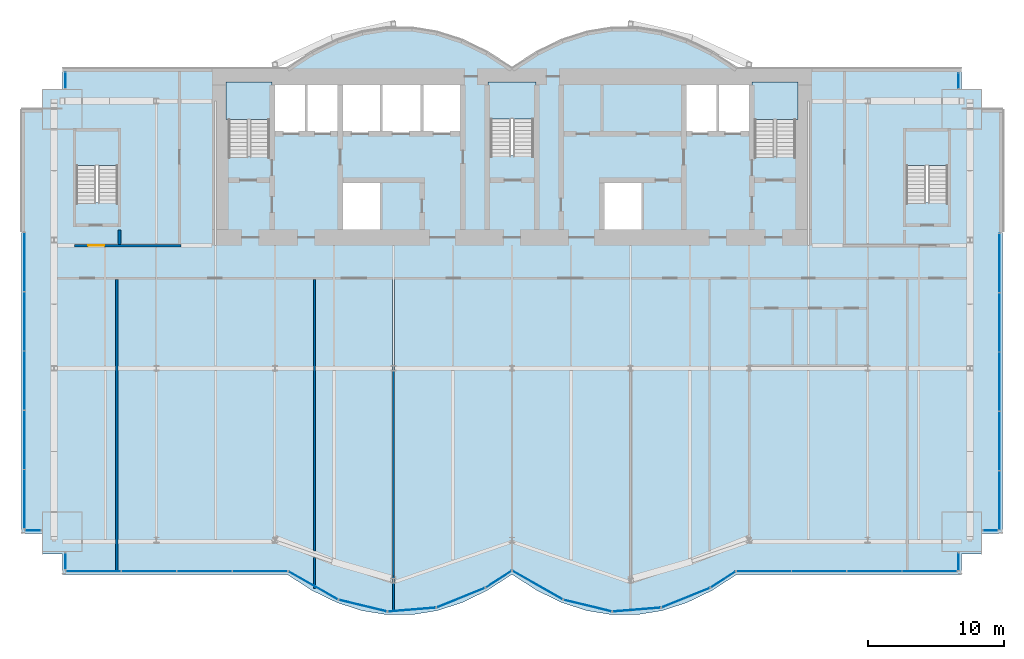
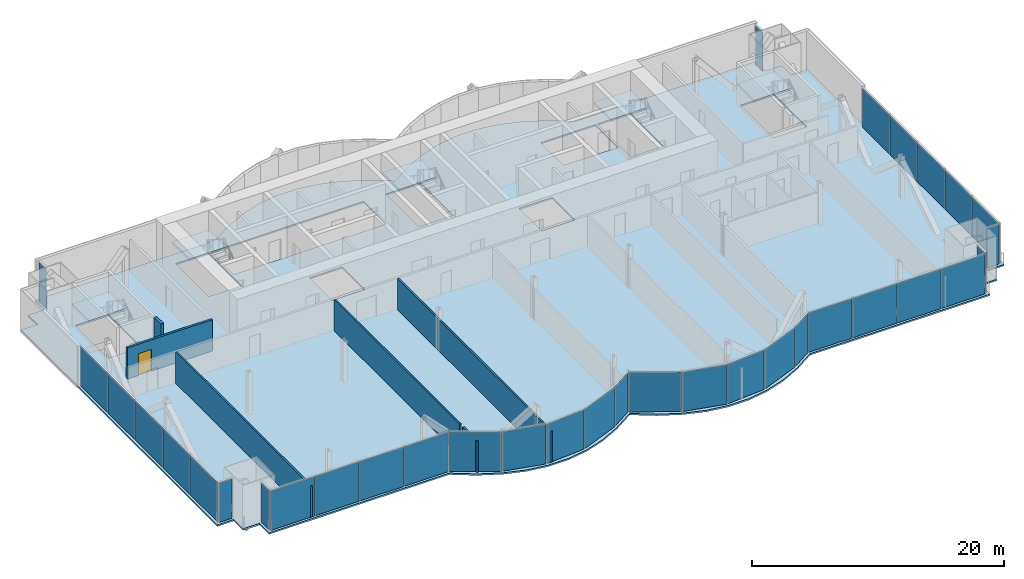
# One storey, part 14 of 21: 34 plates, 7 walls, 6 slabs, 1 door, 1 opening, 17 elements without a shape of their own.
"""IFC4 building model written with IfcOpenShell, lengths in metres."""

from ifc_helpers import new_model, si_unit, direction, frame, frame_2d, origin, origin_2d, place, context, subcontext, project, spatial, polyline, rectangle, outline, extrude, material, layer, layer_set, type_object, element, fill, aggregate, save


model = new_model("IFC4")

# Units and contexts
model_context = context("Model", 3, precision=1e-05, world=origin(), true_north=direction((0.0, 1.0)))
body_context = subcontext(model_context, "Body", "Model", "MODEL_VIEW")
ifc_project = project(units=[si_unit("LENGTHUNIT", "METRE"), si_unit("AREAUNIT", "SQUARE_METRE"), si_unit("VOLUMEUNIT", "CUBIC_METRE"), si_unit("PLANEANGLEUNIT", "RADIAN"), si_unit("MASSUNIT", "GRAM", prefix="KILO")], contexts=[model_context])

# Site, building, storey
site_placement = place(None, origin())
site = spatial("IfcSite", under=ifc_project, at=site_placement, CompositionType="ELEMENT")
building_placement = place(site_placement, origin())
building = spatial("IfcBuilding", under=site, at=building_placement, Name="Bicima Exchange Tower", CompositionType="ELEMENT")
storey_placement = place(building_placement, frame((0.0, 0.0, 122.699951171875)))
storey = spatial("IfcBuildingStorey", under=building, at=storey_placement, Name="L26", CompositionType="ELEMENT", Elevation=122.699951171875)

# Slab
ifc_material_1 = material(Name="Concrete C40/50", Category="concrete")
ifc_layer_1 = layer(ifc_material_1, 0.14990234375)
ifc_layer_set_1 = layer_set([ifc_layer_1], Name="Concrete C40/50")
slab_type_1 = type_object("IfcSlabType", Name="Composite floor slab 150", PredefinedType="FLOOR", material=ifc_layer_set_1)
slab_1_placement = place(storey_placement, frame((0.0, 0.0, -0.14990234375)))
element("IfcSlab", 1, at=slab_1_placement, inside=storey, type_object=slab_type_1, Name="Floor slab", PredefinedType="FLOOR", context=body_context, shape_type="SweptSolid", body=[
    extrude(outline(polyline([(-36.0, -34.1201171875), (-36.0, -3.0), (-34.5, -3.0), (-34.5, -1.5), (-33.0, -1.5), (-33.0, 0.0), (-16.5, 0.0), (-14.666748046875, 1.185302734375), (-12.833251953125, 2.07421875), (-11.0, 2.666748046875), (-9.166748046875, 2.962890625), (-7.333251953125, 2.962890625), (-5.5, 2.666748046875), (-3.666748046875, 2.07421875), (-1.833251953125, 1.185302734375), (0.0, 0.0), (1.833251953125, 1.185302734375), (3.666748046875, 2.07421875), (5.5, 2.666748046875), (7.333251953125, 2.962890625), (9.166748046875, 2.962890625), (11.0, 2.666748046875), (12.833251953125, 2.07421875), (14.666748046875, 1.185302734375), (16.5, 0.0), (33.0, 0.0), (33.0, -1.5), (34.5, -1.5), (34.5, -3.0), (36.0, -3.0), (36.0, -34.1201171875), (34.5, -34.1201171875), (34.5, -35.6201171875), (33.0, -35.6201171875), (33.0, -37.1201171875), (16.5, -37.1201171875), (14.666748046875, -38.30517578125), (12.833251953125, -39.194091796875), (11.0, -39.78662109375), (9.166748046875, -40.0830078125), (7.333251953125, -40.0830078125), (5.5, -39.78662109375), (3.666748046875, -39.194091796875), (1.833251953125, -38.30517578125), (0.0, -37.1201171875), (-1.833251953125, -38.30517578125), (-3.666748046875, -39.194091796875), (-5.5, -39.78662109375), (-7.333251953125, -40.0830078125), (-9.166748046875, -40.0830078125), (-11.0, -39.78662109375), (-12.833251953125, -39.194091796875), (-14.666748046875, -38.30517578125), (-16.5, -37.1201171875), (-33.0, -37.1201171875), (-33.0, -35.6201171875), (-34.5, -35.6201171875), (-34.5, -34.1201171875), (-36.0, -34.1201171875)]), holes=[polyline([(-9.60009765625, -11.800048828125), (-9.60009765625, -8.199951171875), (-12.60009765625, -8.199951171875), (-12.60009765625, -11.800048828125), (-9.60009765625, -11.800048828125)]), polyline([(-31.97509765625, -9.824951171875), (-28.925048828125, -9.824951171875), (-28.925048828125, -4.625), (-31.97509765625, -4.625), (-31.97509765625, -9.824951171875)]), polyline([(-20.800048828125, -6.449951171875), (-17.800048828125, -6.449951171875), (-17.800048828125, -1.199951171875), (-20.800048828125, -1.199951171875), (-20.800048828125, -6.449951171875)]), polyline([(-9.60009765625, -1.199951171875), (-12.60009765625, -1.199951171875), (-15.10009765625, -1.199951171875), (-17.60009765625, -1.199951171875), (-17.60009765625, -4.800048828125), (-15.10009765625, -4.800048828125), (-12.60009765625, -4.800048828125), (-9.60009765625, -4.800048828125), (-6.60009765625, -4.800048828125), (-3.60009765625, -4.800048828125), (-3.60009765625, -1.199951171875), (-6.60009765625, -1.199951171875), (-9.60009765625, -1.199951171875)]), polyline([(9.60009765625, -11.800048828125), (9.60009765625, -8.199951171875), (6.60009765625, -8.199951171875), (6.60009765625, -11.800048828125), (9.60009765625, -11.800048828125)]), polyline([(28.925048828125, -9.824951171875), (31.97509765625, -9.824951171875), (31.97509765625, -4.625), (28.925048828125, -4.625), (28.925048828125, -9.824951171875)]), polyline([(17.800048828125, -6.449951171875), (20.800048828125, -6.449951171875), (20.800048828125, -1.199951171875), (17.800048828125, -1.199951171875), (17.800048828125, -6.449951171875)]), polyline([(-1.574951171875, -6.39990234375), (1.574951171875, -6.39990234375), (1.574951171875, -1.199951171875), (-1.574951171875, -1.199951171875), (-1.574951171875, -6.39990234375)]), polyline([(17.60009765625, -4.800048828125), (17.60009765625, -1.199951171875), (15.10009765625, -1.199951171875), (12.60009765625, -1.199951171875), (12.60009765625, -4.800048828125), (15.10009765625, -4.800048828125), (17.60009765625, -4.800048828125)])]), origin(), (0.0, 0.0, 1.0), 0.14990234375),
])

# Curtain wall, plates
ifc_material_2 = material(Name="Anodised bronze aluminium", Category="aluminium")
curtain_wall_type_1 = type_object("IfcCurtainWallType", Name="End face glass wall", PredefinedType="NOTDEFINED", material=ifc_material_2)
curtain_wall_1_placement = place(storey_placement, origin())
curtain_wall_1 = element("IfcCurtainWall", 2, at=curtain_wall_1_placement, inside=storey, type_object=curtain_wall_type_1, Name="End face glass wall L26 run 2", PredefinedType="NOTDEFINED")
ifc_material_3 = material(Name="Bronze tinted glass", Category="glass")
ifc_layer_2 = layer(ifc_material_3, 0.031982421875)
ifc_layer_set_2 = layer_set([ifc_layer_2], Name="Bronze tinted glass")
plate_type_1 = type_object("IfcPlateType", Name="End face glass wall glass panel 32", PredefinedType="CURTAIN_PANEL", material=ifc_layer_set_2)
plate_1_placement = place(storey_placement, frame((-35.77001953125, -18.554931640625, 0.0), z_axis=(0.0, 0.0, 1.0), x_axis=(0.0, -1.0, 0.0)))
plate_1 = element("IfcPlate", 3, at=plate_1_placement, type_object=plate_type_1, Name="End face glass wall panel 2.1", PredefinedType="CURTAIN_PANEL", context=body_context, shape_type="SweptSolid", body=[
    extrude(rectangle(XDim=4.2900390625, YDim=0.031982421875, at=origin_2d()), origin(), (0.0, 0.0, 1.0), 3.81005859375),
])
plate_2_placement = place(storey_placement, frame((-35.77001953125, -31.60498046875, 0.0), z_axis=(0.0, 0.0, 1.0), x_axis=(0.0, -1.0, 0.0)))
plate_2 = element("IfcPlate", 4, at=plate_2_placement, type_object=plate_type_1, Name="End face glass wall panel 5.1", PredefinedType="CURTAIN_PANEL", context=body_context, shape_type="SweptSolid", body=[
    extrude(rectangle(XDim=4.2900390625, YDim=0.031982421875, at=origin_2d()), origin(), (0.0, 0.0, 1.0), 3.81005859375),
])

curtain_wall_2_placement = place(storey_placement, origin())
curtain_wall_2 = element("IfcCurtainWall", 5, at=curtain_wall_2_placement, inside=storey, type_object=curtain_wall_type_1, Name="End face glass wall L26 run 19", PredefinedType="NOTDEFINED")
plate_3_placement = place(storey_placement, frame((35.77001953125, -31.68505859375, 0.0), z_axis=(0.0, 0.0, 1.0), x_axis=(0.0, 1.0, 0.0)))
plate_3 = element("IfcPlate", 6, at=plate_3_placement, type_object=plate_type_1, Name="End face glass wall panel 1.1", PredefinedType="CURTAIN_PANEL", context=body_context, shape_type="SweptSolid", body=[
    extrude(rectangle(XDim=4.2900390625, YDim=0.031982421875, at=origin_2d()), origin(), (0.0, 0.0, 1.0), 3.81005859375),
])
plate_4_placement = place(storey_placement, frame((35.77001953125, -18.635009765625, 0.0), z_axis=(0.0, 0.0, 1.0), x_axis=(0.0, 1.0, 0.0)))
plate_4 = element("IfcPlate", 7, at=plate_4_placement, type_object=plate_type_1, Name="End face glass wall panel 4.1", PredefinedType="CURTAIN_PANEL", context=body_context, shape_type="SweptSolid", body=[
    extrude(rectangle(XDim=4.2900390625, YDim=0.031982421875, at=origin_2d()), origin(), (0.0, 0.0, 1.0), 3.81005859375),
])

# Plate
ifc_material_4 = material(Name="Bronze anodised aluminium", Category="aluminium")
ifc_layer_3 = layer(ifc_material_4, 0.031982421875)
ifc_layer_set_3 = layer_set([ifc_layer_3], Name="Bronze anodised aluminium")
plate_type_2 = type_object("IfcPlateType", Name="End face glass wall spandrel panel 32", PredefinedType="CURTAIN_PANEL", material=ifc_layer_set_3)
plate_5_placement = place(storey_placement, frame((-35.77001953125, -14.205078125, 0.0), z_axis=(0.0, 0.0, 1.0), x_axis=(0.0, -1.0, 0.0)))
plate_5 = element("IfcPlate", 8, at=plate_5_placement, type_object=plate_type_2, Name="End face spandrel wall panel 1.1", PredefinedType="CURTAIN_PANEL", context=body_context, shape_type="SweptSolid", body=[
    extrude(rectangle(XDim=4.2900390625, YDim=0.031982421875, at=origin_2d()), origin(), (0.0, 0.0, 1.0), 3.81005859375),
])

plate_6_placement = place(storey_placement, frame((-35.77001953125, -22.905029296875, 0.0), z_axis=(0.0, 0.0, 1.0), x_axis=(0.0, -1.0, 0.0)))
plate_6 = element("IfcPlate", 9, at=plate_6_placement, type_object=plate_type_2, Name="End face spandrel wall panel 3.1", PredefinedType="CURTAIN_PANEL", context=body_context, shape_type="SweptSolid", body=[
    extrude(rectangle(XDim=4.2900390625, YDim=0.031982421875, at=origin_2d()), origin(), (0.0, 0.0, 1.0), 3.81005859375),
])

plate_7_placement = place(storey_placement, frame((-35.77001953125, -27.2548828125, 0.0), z_axis=(0.0, 0.0, 1.0), x_axis=(0.0, -1.0, 0.0)))
plate_7 = element("IfcPlate", 10, at=plate_7_placement, type_object=plate_type_2, Name="End face spandrel wall panel 4.1", PredefinedType="CURTAIN_PANEL", context=body_context, shape_type="SweptSolid", body=[
    extrude(rectangle(XDim=4.2900390625, YDim=0.031982421875, at=origin_2d()), origin(), (0.0, 0.0, 1.0), 3.81005859375),
])

aggregate(curtain_wall_1, [plate_5, plate_1, plate_6, plate_7, plate_2])

plate_8_placement = place(storey_placement, frame((35.77001953125, -27.3349609375, 0.0), z_axis=(0.0, 0.0, 1.0), x_axis=(0.0, 1.0, 0.0)))
plate_8 = element("IfcPlate", 11, at=plate_8_placement, type_object=plate_type_2, Name="End face spandrel wall panel 2.1", PredefinedType="CURTAIN_PANEL", context=body_context, shape_type="SweptSolid", body=[
    extrude(rectangle(XDim=4.2900390625, YDim=0.031982421875, at=origin_2d()), origin(), (0.0, 0.0, 1.0), 3.81005859375),
])

plate_9_placement = place(storey_placement, frame((35.77001953125, -22.985107421875, 0.0), z_axis=(0.0, 0.0, 1.0), x_axis=(0.0, 1.0, 0.0)))
plate_9 = element("IfcPlate", 12, at=plate_9_placement, type_object=plate_type_2, Name="End face spandrel wall panel 3.1", PredefinedType="CURTAIN_PANEL", context=body_context, shape_type="SweptSolid", body=[
    extrude(rectangle(XDim=4.2900390625, YDim=0.031982421875, at=origin_2d()), origin(), (0.0, 0.0, 1.0), 3.81005859375),
])

plate_10_placement = place(storey_placement, frame((35.77001953125, -14.284912109375, 0.0), z_axis=(0.0, 0.0, 1.0), x_axis=(0.0, 1.0, 0.0)))
plate_10 = element("IfcPlate", 13, at=plate_10_placement, type_object=plate_type_2, Name="End face spandrel wall panel 5.1", PredefinedType="CURTAIN_PANEL", context=body_context, shape_type="SweptSolid", body=[
    extrude(rectangle(XDim=4.2900390625, YDim=0.031982421875, at=origin_2d()), origin(), (0.0, 0.0, 1.0), 3.81005859375),
])

aggregate(curtain_wall_2, [plate_3, plate_8, plate_9, plate_4, plate_10])

# Curtain wall, plate
curtain_wall_type_2 = type_object("IfcCurtainWallType", Name="Front glass wall", PredefinedType="NOTDEFINED", material=ifc_material_2)
curtain_wall_3_placement = place(storey_placement, origin())
curtain_wall_3 = element("IfcCurtainWall", 14, at=curtain_wall_3_placement, inside=storey, type_object=curtain_wall_type_2, Name="Front glass wall L26 run 1", PredefinedType="NOTDEFINED")
ifc_layer_4 = layer(ifc_material_3, 0.031982421875)
ifc_layer_set_4 = layer_set([ifc_layer_4], Name="Bronze tinted glass")
plate_type_3 = type_object("IfcPlateType", Name="Front glass wall glass panel 32", PredefinedType="CURTAIN_PANEL", material=ifc_layer_set_4)
plate_11_placement = place(storey_placement, frame((-32.77001953125, -0.864990234375, 0.0), z_axis=(0.0, 0.0, 1.0), x_axis=(0.0, -1.0, 0.0)))
plate_11 = element("IfcPlate", 15, at=plate_11_placement, type_object=plate_type_3, Name="Front glass wall panel 1.1", PredefinedType="CURTAIN_PANEL", context=body_context, shape_type="SweptSolid", body=[
    extrude(rectangle(XDim=1.14990234375, YDim=0.031982421875, at=origin_2d()), origin(), (0.0, 0.0, 1.0), 3.81005859375),
])
aggregate(curtain_wall_3, [plate_11])

curtain_wall_4_placement = place(storey_placement, origin())
curtain_wall_4 = element("IfcCurtainWall", 16, at=curtain_wall_4_placement, inside=storey, type_object=curtain_wall_type_2, Name="Front glass wall L26 run 3", PredefinedType="NOTDEFINED")
plate_12_placement = place(storey_placement, frame((-35.135009765625, -33.889892578125, 0.0), z_axis=(0.0, 0.0, 1.0), x_axis=(1.0, 0.0, 0.0)))
plate_12 = element("IfcPlate", 17, at=plate_12_placement, type_object=plate_type_3, Name="Front glass wall panel 1.1", PredefinedType="CURTAIN_PANEL", context=body_context, shape_type="SweptSolid", body=[
    extrude(rectangle(XDim=1.14990234375, YDim=0.031982421875, at=origin_2d()), origin(), (0.0, 0.0, 1.0), 3.81005859375),
])
aggregate(curtain_wall_4, [plate_12])

curtain_wall_5_placement = place(storey_placement, origin())
curtain_wall_5 = element("IfcCurtainWall", 18, at=curtain_wall_5_placement, inside=storey, type_object=curtain_wall_type_2, Name="Front glass wall L26 run 4", PredefinedType="NOTDEFINED")
plate_13_placement = place(storey_placement, frame((-32.77001953125, -36.154052734375, 0.0), z_axis=(0.0, 0.0, 1.0), x_axis=(0.0, -1.0, 0.0)))
plate_13 = element("IfcPlate", 19, at=plate_13_placement, type_object=plate_type_3, Name="Front glass wall panel 1.1", PredefinedType="CURTAIN_PANEL", context=body_context, shape_type="SweptSolid", body=[
    extrude(rectangle(XDim=1.19189453125, YDim=0.031982421875, at=origin_2d()), origin(), (0.0, 0.0, 1.0), 3.81005859375),
])
aggregate(curtain_wall_5, [plate_13])

# Curtain wall, plates
curtain_wall_6_placement = place(storey_placement, origin())
curtain_wall_6 = element("IfcCurtainWall", 20, at=curtain_wall_6_placement, inside=storey, type_object=curtain_wall_type_2, Name="Front glass wall L26 run 5", PredefinedType="NOTDEFINED")
plate_14_placement = place(storey_placement, frame((-30.705322265625, -36.889892578125, 0.0), z_axis=(0.0, 0.0, 1.0), x_axis=(1.0, 0.0, 0.0)))
plate_14 = element("IfcPlate", 21, at=plate_14_placement, type_object=plate_type_3, Name="Front glass wall panel 1.1", PredefinedType="CURTAIN_PANEL", context=body_context, shape_type="SweptSolid", body=[
    extrude(rectangle(XDim=4.009521484375, YDim=0.031982421875, at=origin_2d()), origin(), (0.0, 0.0, 1.0), 3.81005859375),
])
plate_15_placement = place(storey_placement, frame((-18.496826171875, -36.889892578125, 0.0), z_axis=(0.0, 0.0, 1.0), x_axis=(1.0, 0.0, 0.0)))
plate_15 = element("IfcPlate", 22, at=plate_15_placement, type_object=plate_type_3, Name="Front glass wall panel 4.1", PredefinedType="CURTAIN_PANEL", context=body_context, shape_type="SweptSolid", body=[
    extrude(rectangle(XDim=4.009521484375, YDim=0.031982421875, at=origin_2d()), origin(), (0.0, 0.0, 1.0), 3.81005859375),
])

curtain_wall_7_placement = place(storey_placement, origin())
curtain_wall_7 = element("IfcCurtainWall", 23, at=curtain_wall_7_placement, inside=storey, type_object=curtain_wall_type_2, Name="Front glass wall L26 run 6", PredefinedType="NOTDEFINED")
plate_16_placement = place(storey_placement, frame((-14.589599609375, -37.93505859375, 0.0), z_axis=(0.0, 0.0, 1.0), x_axis=(0.869805110681, -0.493395449343, 0.0)))
plate_16 = element("IfcPlate", 24, at=plate_16_placement, type_object=plate_type_3, Name="Front glass wall panel 1.1", PredefinedType="CURTAIN_PANEL", context=body_context, shape_type="SweptSolid", body=[
    extrude(rectangle(XDim=4.1162109375, YDim=0.031982421875, at=origin_2d()), origin(), (0.0, 0.0, 1.0), 3.81005859375),
])
plate_17_placement = place(storey_placement, frame((-3.750244140625, -38.83349609375, 0.0), z_axis=(0.0, 0.0, 1.0), x_axis=(0.92714396679, 0.374705304, 0.0)))
plate_17 = element("IfcPlate", 25, at=plate_17_placement, type_object=plate_type_3, Name="Front glass wall panel 1.1", PredefinedType="CURTAIN_PANEL", context=body_context, shape_type="SweptSolid", body=[
    extrude(rectangle(XDim=3.771240234375, YDim=0.031982421875, at=origin_2d()), origin(), (0.0, 0.0, 1.0), 3.81005859375),
])
plate_18_placement = place(storey_placement, frame((-0.97314453125, -37.47509765625, 0.0), z_axis=(0.0, 0.0, 1.0), x_axis=(0.839798994301, 0.542897457326, 0.0)))
plate_18 = element("IfcPlate", 26, at=plate_18_placement, type_object=plate_type_3, Name="Front glass wall panel 1.1", PredefinedType="CURTAIN_PANEL", context=body_context, shape_type="SweptSolid", body=[
    extrude(rectangle(XDim=2.197509765625, YDim=0.031982421875, at=origin_2d()), origin(), (0.0, 0.0, 1.0), 3.81005859375),
])

curtain_wall_8_placement = place(storey_placement, origin())
curtain_wall_8 = element("IfcCurtainWall", 27, at=curtain_wall_8_placement, inside=storey, type_object=curtain_wall_type_2, Name="Front glass wall L26 run 11", PredefinedType="NOTDEFINED")
plate_19_placement = place(storey_placement, frame((1.876220703125, -37.9130859375, 0.0), z_axis=(0.0, 0.0, 1.0), x_axis=(0.869274147378, -0.494330311331, 0.0)))
plate_19 = element("IfcPlate", 28, at=plate_19_placement, type_object=plate_type_3, Name="Front glass wall panel 1.1", PredefinedType="CURTAIN_PANEL", context=body_context, shape_type="SweptSolid", body=[
    extrude(rectangle(XDim=4.197021484375, YDim=0.031982421875, at=origin_2d()), origin(), (0.0, 0.0, 1.0), 3.81005859375),
])
plate_20_placement = place(storey_placement, frame((5.55224609375, -39.41650390625, 0.0), z_axis=(0.0, 0.0, 1.0), x_axis=(0.971830343553, -0.235681529503, 0.0)))
plate_20 = element("IfcPlate", 29, at=plate_20_placement, type_object=plate_type_3, Name="Front glass wall panel 1.1", PredefinedType="CURTAIN_PANEL", context=body_context, shape_type="SweptSolid", body=[
    extrude(rectangle(XDim=3.583251953125, YDim=0.031982421875, at=origin_2d()), origin(), (0.0, 0.0, 1.0), 3.81005859375),
])
plate_21_placement = place(storey_placement, frame((12.749755859375, -38.83349609375, 0.0), z_axis=(0.0, 0.0, 1.0), x_axis=(0.92714396679, 0.374705304, 0.0)))
plate_21 = element("IfcPlate", 30, at=plate_21_placement, type_object=plate_type_3, Name="Front glass wall panel 1.1", PredefinedType="CURTAIN_PANEL", context=body_context, shape_type="SweptSolid", body=[
    extrude(rectangle(XDim=3.771240234375, YDim=0.031982421875, at=origin_2d()), origin(), (0.0, 0.0, 1.0), 3.81005859375),
])
plate_22_placement = place(storey_placement, frame((15.492919921875, -37.497314453125, 0.0), z_axis=(0.0, 0.0, 1.0), x_axis=(0.839791413941, 0.542909183079, 0.0)))
plate_22 = element("IfcPlate", 31, at=plate_22_placement, type_object=plate_type_3, Name="Front glass wall panel 1.1", PredefinedType="CURTAIN_PANEL", context=body_context, shape_type="SweptSolid", body=[
    extrude(rectangle(XDim=2.11669921875, YDim=0.031982421875, at=origin_2d()), origin(), (0.0, 0.0, 1.0), 3.81005859375),
])

curtain_wall_9_placement = place(storey_placement, origin())
curtain_wall_9 = element("IfcCurtainWall", 32, at=curtain_wall_9_placement, inside=storey, type_object=curtain_wall_type_2, Name="Front glass wall L26 run 16", PredefinedType="NOTDEFINED")
plate_23_placement = place(storey_placement, frame((18.48681640625, -36.889892578125, 0.0), z_axis=(0.0, 0.0, 1.0), x_axis=(1.0, 0.0, 0.0)))
plate_23 = element("IfcPlate", 33, at=plate_23_placement, type_object=plate_type_3, Name="Front glass wall panel 1.1", PredefinedType="CURTAIN_PANEL", context=body_context, shape_type="SweptSolid", body=[
    extrude(rectangle(XDim=3.989501953125, YDim=0.031982421875, at=origin_2d()), origin(), (0.0, 0.0, 1.0), 3.81005859375),
])
plate_24_placement = place(storey_placement, frame((30.63525390625, -36.889892578125, 0.0), z_axis=(0.0, 0.0, 1.0), x_axis=(1.0, 0.0, 0.0)))
plate_24 = element("IfcPlate", 34, at=plate_24_placement, type_object=plate_type_3, Name="Front glass wall panel 4.1", PredefinedType="CURTAIN_PANEL", context=body_context, shape_type="SweptSolid", body=[
    extrude(rectangle(XDim=3.989501953125, YDim=0.031982421875, at=origin_2d()), origin(), (0.0, 0.0, 1.0), 3.81005859375),
])

# Curtain wall, plate
curtain_wall_10_placement = place(storey_placement, origin())
curtain_wall_10 = element("IfcCurtainWall", 35, at=curtain_wall_10_placement, inside=storey, type_object=curtain_wall_type_2, Name="Front glass wall L26 run 17", PredefinedType="NOTDEFINED")
plate_25_placement = place(storey_placement, frame((32.77001953125, -36.194091796875, 0.0), z_axis=(0.0, 0.0, 1.0), x_axis=(0.0, 1.0, 0.0)))
plate_25 = element("IfcPlate", 36, at=plate_25_placement, type_object=plate_type_3, Name="Front glass wall panel 1.1", PredefinedType="CURTAIN_PANEL", context=body_context, shape_type="SweptSolid", body=[
    extrude(rectangle(XDim=1.27197265625, YDim=0.031982421875, at=origin_2d()), origin(), (0.0, 0.0, 1.0), 3.81005859375),
])
aggregate(curtain_wall_10, [plate_25])

curtain_wall_11_placement = place(storey_placement, origin())
curtain_wall_11 = element("IfcCurtainWall", 37, at=curtain_wall_11_placement, inside=storey, type_object=curtain_wall_type_2, Name="Front glass wall L26 run 18", PredefinedType="NOTDEFINED")
plate_26_placement = place(storey_placement, frame((35.094970703125, -33.889892578125, 0.0), z_axis=(0.0, 0.0, 1.0), x_axis=(1.0, 0.0, 0.0)))
plate_26 = element("IfcPlate", 38, at=plate_26_placement, type_object=plate_type_3, Name="Front glass wall panel 1.1", PredefinedType="CURTAIN_PANEL", context=body_context, shape_type="SweptSolid", body=[
    extrude(rectangle(XDim=1.070068359375, YDim=0.031982421875, at=origin_2d()), origin(), (0.0, 0.0, 1.0), 3.81005859375),
])
aggregate(curtain_wall_11, [plate_26])

curtain_wall_12_placement = place(storey_placement, origin())
curtain_wall_12 = element("IfcCurtainWall", 39, at=curtain_wall_12_placement, inside=storey, type_object=curtain_wall_type_2, Name="Front glass wall L26 run 20", PredefinedType="NOTDEFINED")
plate_27_placement = place(storey_placement, frame((32.77001953125, -0.905029296875, 0.0), z_axis=(0.0, 0.0, 1.0), x_axis=(0.0, 1.0, 0.0)))
plate_27 = element("IfcPlate", 40, at=plate_27_placement, type_object=plate_type_3, Name="Front glass wall panel 1.1", PredefinedType="CURTAIN_PANEL", context=body_context, shape_type="SweptSolid", body=[
    extrude(rectangle(XDim=1.070068359375, YDim=0.031982421875, at=origin_2d()), origin(), (0.0, 0.0, 1.0), 3.81005859375),
])
aggregate(curtain_wall_12, [plate_27])

# Plate
ifc_layer_5 = layer(ifc_material_4, 0.031982421875)
ifc_layer_set_5 = layer_set([ifc_layer_5], Name="Bronze anodised aluminium")
plate_type_4 = type_object("IfcPlateType", Name="Front glass wall spandrel panel 32", PredefinedType="CURTAIN_PANEL", material=ifc_layer_set_5)
plate_28_placement = place(storey_placement, frame((-26.6357421875, -36.889892578125, 0.0), z_axis=(0.0, 0.0, 1.0), x_axis=(1.0, 0.0, 0.0)))
plate_28 = element("IfcPlate", 41, at=plate_28_placement, type_object=plate_type_4, Name="Front spandrel wall panel 2.1", PredefinedType="CURTAIN_PANEL", context=body_context, shape_type="SweptSolid", body=[
    extrude(rectangle(XDim=4.009521484375, YDim=0.031982421875, at=origin_2d()), origin(), (0.0, 0.0, 1.0), 3.81005859375),
])

plate_29_placement = place(storey_placement, frame((-22.56640625, -36.889892578125, 0.0), z_axis=(0.0, 0.0, 1.0), x_axis=(1.0, 0.0, 0.0)))
plate_29 = element("IfcPlate", 42, at=plate_29_placement, type_object=plate_type_4, Name="Front spandrel wall panel 3.1", PredefinedType="CURTAIN_PANEL", context=body_context, shape_type="SweptSolid", body=[
    extrude(rectangle(XDim=4.009521484375, YDim=0.031982421875, at=origin_2d()), origin(), (0.0, 0.0, 1.0), 3.81005859375),
])

aggregate(curtain_wall_6, [plate_14, plate_28, plate_29, plate_15])

plate_30_placement = place(storey_placement, frame((-10.94775390625, -39.41650390625, 0.0), z_axis=(0.0, 0.0, 1.0), x_axis=(0.971830343553, -0.235681529503, 0.0)))
plate_30 = element("IfcPlate", 43, at=plate_30_placement, type_object=plate_type_4, Name="Front spandrel wall panel 1.1", PredefinedType="CURTAIN_PANEL", context=body_context, shape_type="SweptSolid", body=[
    extrude(rectangle(XDim=3.583251953125, YDim=0.031982421875, at=origin_2d()), origin(), (0.0, 0.0, 1.0), 3.81005859375),
])

plate_31_placement = place(storey_placement, frame((-7.35107421875, -39.707763671875, 0.0), z_axis=(0.0, 0.0, 1.0), x_axis=(0.99674744821, 0.080588612633, 0.0)))
plate_31 = element("IfcPlate", 44, at=plate_31_placement, type_object=plate_type_4, Name="Front spandrel wall panel 1.1", PredefinedType="CURTAIN_PANEL", context=body_context, shape_type="SweptSolid", body=[
    extrude(rectangle(XDim=3.486083984375, YDim=0.031982421875, at=origin_2d()), origin(), (0.0, 0.0, 1.0), 3.81005859375),
])

aggregate(curtain_wall_7, [plate_16, plate_30, plate_31, plate_17, plate_18])

plate_32_placement = place(storey_placement, frame((9.14892578125, -39.707763671875, 0.0), z_axis=(0.0, 0.0, 1.0), x_axis=(0.99674744821, 0.080588612633, 0.0)))
plate_32 = element("IfcPlate", 45, at=plate_32_placement, type_object=plate_type_4, Name="Front spandrel wall panel 1.1", PredefinedType="CURTAIN_PANEL", context=body_context, shape_type="SweptSolid", body=[
    extrude(rectangle(XDim=3.486083984375, YDim=0.031982421875, at=origin_2d()), origin(), (0.0, 0.0, 1.0), 3.81005859375),
])

aggregate(curtain_wall_8, [plate_19, plate_20, plate_32, plate_21, plate_22])

plate_33_placement = place(storey_placement, frame((22.536376953125, -36.889892578125, 0.0), z_axis=(0.0, 0.0, 1.0), x_axis=(1.0, 0.0, 0.0)))
plate_33 = element("IfcPlate", 46, at=plate_33_placement, type_object=plate_type_4, Name="Front spandrel wall panel 2.1", PredefinedType="CURTAIN_PANEL", context=body_context, shape_type="SweptSolid", body=[
    extrude(rectangle(XDim=3.989501953125, YDim=0.031982421875, at=origin_2d()), origin(), (0.0, 0.0, 1.0), 3.81005859375),
])

plate_34_placement = place(storey_placement, frame((26.585693359375, -36.889892578125, 0.0), z_axis=(0.0, 0.0, 1.0), x_axis=(1.0, 0.0, 0.0)))
plate_34 = element("IfcPlate", 47, at=plate_34_placement, type_object=plate_type_4, Name="Front spandrel wall panel 3.1", PredefinedType="CURTAIN_PANEL", context=body_context, shape_type="SweptSolid", body=[
    extrude(rectangle(XDim=3.989501953125, YDim=0.031982421875, at=origin_2d()), origin(), (0.0, 0.0, 1.0), 3.81005859375),
])

aggregate(curtain_wall_9, [plate_23, plate_33, plate_34, plate_24])

# Stair, slab
ifc_material_5 = material(Name="Concrete C50/60", Category="concrete")
stair_type_1 = type_object("IfcStairType", Name="Exit stair", PredefinedType="HALF_TURN_STAIR", material=ifc_material_5)
stair_1_placement = place(storey_placement, origin())
stair_1 = element("IfcStair", 48, at=stair_1_placement, inside=storey, type_object=stair_type_1, Name="L26 West exit stair", PredefinedType="HALF_TURN_STAIR")
ifc_layer_6 = layer(ifc_material_5, 0.199951171875)
ifc_layer_set_6 = layer_set([ifc_layer_6], Name="Concrete C50/60")
slab_type_2 = type_object("IfcSlabType", Name="Stair landing slab", PredefinedType="LANDING", material=ifc_layer_set_6)
slab_2_placement = place(storey_placement, frame((0.0, 0.0, 1.85009765625)))
slab_2 = element("IfcSlab", 49, at=slab_2_placement, type_object=slab_type_2, Name="ST-W landing 1", PredefinedType="LANDING", context=body_context, shape_type="SweptSolid", body=[
    extrude(outline(polyline([(-17.60009765625, -3.75), (-17.60009765625, -1.0), (-21.0, -1.0), (-21.0, -3.75), (-17.60009765625, -3.75)])), origin(), (0.0, 0.0, 1.0), 0.199951171875),
])
aggregate(stair_1, [slab_2])

stair_type_2 = type_object("IfcStairType", Name="Exit stair 1500", PredefinedType="HALF_TURN_STAIR", material=ifc_material_5)
stair_2_placement = place(storey_placement, origin())
stair_2 = element("IfcStair", 50, at=stair_2_placement, inside=storey, type_object=stair_type_2, Name="L26 Central exit stair", PredefinedType="HALF_TURN_STAIR")
slab_3_placement = place(storey_placement, frame((0.0, 0.0, 1.85009765625)))
slab_3 = element("IfcSlab", 51, at=slab_3_placement, type_object=slab_type_2, Name="ST-C landing 1", PredefinedType="LANDING", context=body_context, shape_type="SweptSolid", body=[
    extrude(outline(polyline([(1.77490234375, -3.699951171875), (1.77490234375, -1.0), (-1.77490234375, -1.0), (-1.77490234375, -3.699951171875), (1.77490234375, -3.699951171875)])), origin(), (0.0, 0.0, 1.0), 0.199951171875),
])
aggregate(stair_2, [slab_3])

stair_3_placement = place(storey_placement, origin())
stair_3 = element("IfcStair", 52, at=stair_3_placement, inside=storey, type_object=stair_type_1, Name="L26 East exit stair", PredefinedType="HALF_TURN_STAIR")
slab_4_placement = place(storey_placement, frame((0.0, 0.0, 1.85009765625)))
slab_4 = element("IfcSlab", 53, at=slab_4_placement, type_object=slab_type_2, Name="ST-E landing 1", PredefinedType="LANDING", context=body_context, shape_type="SweptSolid", body=[
    extrude(outline(polyline([(21.0, -3.75), (21.0, -1.0), (17.60009765625, -1.0), (17.60009765625, -3.75), (21.0, -3.75)])), origin(), (0.0, 0.0, 1.0), 0.199951171875),
])
aggregate(stair_3, [slab_4])

stair_4_placement = place(storey_placement, origin())
stair_4 = element("IfcStair", 54, at=stair_4_placement, inside=storey, type_object=stair_type_1, Name="L26 West end exit stair", PredefinedType="HALF_TURN_STAIR")
slab_5_placement = place(storey_placement, frame((0.0, 0.0, 1.85009765625)))
slab_5 = element("IfcSlab", 55, at=slab_5_placement, type_object=slab_type_2, Name="ST-WW landing 1", PredefinedType="LANDING", context=body_context, shape_type="SweptSolid", body=[
    extrude(outline(polyline([(-28.72509765625, -7.125), (-28.72509765625, -4.425048828125), (-32.175048828125, -4.425048828125), (-32.175048828125, -7.125), (-28.72509765625, -7.125)])), origin(), (0.0, 0.0, 1.0), 0.199951171875),
])
aggregate(stair_4, [slab_5])

stair_5_placement = place(storey_placement, origin())
stair_5 = element("IfcStair", 56, at=stair_5_placement, inside=storey, type_object=stair_type_1, Name="L26 East end exit stair", PredefinedType="HALF_TURN_STAIR")
slab_6_placement = place(storey_placement, frame((0.0, 0.0, 1.85009765625)))
slab_6 = element("IfcSlab", 57, at=slab_6_placement, type_object=slab_type_2, Name="ST-EE landing 1", PredefinedType="LANDING", context=body_context, shape_type="SweptSolid", body=[
    extrude(outline(polyline([(32.175048828125, -7.125), (32.175048828125, -4.425048828125), (28.72509765625, -4.425048828125), (28.72509765625, -7.125), (32.175048828125, -7.125)])), origin(), (0.0, 0.0, 1.0), 0.199951171875),
])
aggregate(stair_5, [slab_6])

# Wall, opening, door
ifc_material_6 = material(Name="Gypsum board partition")
ifc_layer_7 = layer(ifc_material_6, 0.199951171875)
ifc_layer_set_7 = layer_set([ifc_layer_7], Name="Gypsum board partition")
wall_type_1 = type_object("IfcWallType", Name="Fire-rated gypsum partition 200 EI60", PredefinedType="PARTITIONING", material=ifc_layer_set_7)
wall_1_placement = place(storey_placement, frame((-32.10009765625, -13.0, 0.0), z_axis=(0.0, 0.0, 1.0), x_axis=(1.0, 0.0, 0.0)))
wall_1 = element("IfcWall", 58, at=wall_1_placement, inside=storey, type_object=wall_type_1, Name="partition wall 4", PredefinedType="PARTITIONING", context=body_context, shape_type="SweptSolid", body=[
    extrude(rectangle(XDim=7.800048828125, YDim=0.199951171875, at=frame_2d((3.89990234375, 0.0))), origin(), (0.0, 0.0, 1.0), 3.018310546875),
])
opening_placement = place(wall_1_placement, frame((1.0, 0.0, 0.0)))
opening = element("IfcOpeningElement", 59, at=opening_placement, cuts=wall_1, Name="Opening L26-001", PredefinedType="OPENING", context=body_context, shape_type="SweptSolid", body=[
    extrude(rectangle(XDim=1.199951171875, YDim=2.10009765625, at=frame_2d((0.60009765625, 1.050048828125))), frame((0.0, 0.11181640625, 0.0), z_axis=(0.0, -1.0, 0.0), x_axis=(1.0, 0.0, 0.0)), (0.0, 0.0, 1.0), 0.223876953125),
])
ifc_material_7 = material(Name="Steel fire door leaf", Category="steel")
door_type = type_object("IfcDoorType", Name="Door 1200 swing FD30S", OperationType="SINGLE_SWING_LEFT", PredefinedType="DOOR", material=ifc_material_7)
door_placement = place(opening_placement, origin())
door = element("IfcDoor", 60, at=door_placement, inside=storey, type_object=door_type, Name="Door", OperationType="SINGLE_SWING_LEFT", OverallHeight=2.10009765625, OverallWidth=1.199951171875, PredefinedType="DOOR", context=body_context, shape_type="SweptSolid", body=[
    extrude(rectangle(XDim=1.199951171875, YDim=2.10009765625, at=frame_2d((0.60009765625, 1.050048828125))), frame((0.0, 0.02490234375, 0.0), z_axis=(0.0, -1.0, 0.0), x_axis=(1.0, 0.0, 0.0)), (0.0, 0.0, 1.0), 0.050048828125),
])
fill(opening, door)

# Walls
ifc_layer_8 = layer(ifc_material_6, 0.14990234375)
ifc_layer_set_8 = layer_set([ifc_layer_8], Name="Gypsum board partition")
wall_type_2 = type_object("IfcWallType", Name="Gypsum partition 150", PredefinedType="PARTITIONING", material=ifc_layer_set_8)
wall_2_placement = place(storey_placement, frame((-29.0, -36.909912109375, 0.0), z_axis=(0.0, 0.0, 1.0), x_axis=(0.0, 1.0, 0.0)))
element("IfcWall", 61, at=wall_2_placement, inside=storey, type_object=wall_type_2, Name="partition wall 13", PredefinedType="PARTITIONING", context=body_context, shape_type="SweptSolid", body=[
    extrude(rectangle(XDim=21.409912109375, YDim=0.14990234375, at=frame_2d((10.705078125, 0.0))), origin(), (0.0, 0.0, 1.0), 3.018310546875),
])
wall_3_placement = place(storey_placement, frame((-14.5, -38.14990234375, 0.0), z_axis=(0.0, 0.0, 1.0), x_axis=(0.0, 1.0, 0.0)))
element("IfcWall", 62, at=wall_3_placement, inside=storey, type_object=wall_type_2, Name="partition wall 16", PredefinedType="PARTITIONING", context=body_context, shape_type="SweptSolid", body=[
    extrude(rectangle(XDim=2.2705078125, YDim=0.14990234375, at=frame_2d((1.13525390625, 0.0))), origin(), (0.0, 0.0, 1.0), 3.018310546875),
])
wall_4_placement = place(storey_placement, frame((-14.5, -35.391845703125, 0.0), z_axis=(0.0, 0.0, 1.0), x_axis=(0.0, 1.0, 0.0)))
element("IfcWall", 63, at=wall_4_placement, inside=storey, type_object=wall_type_2, Name="partition wall 17", PredefinedType="PARTITIONING", context=body_context, shape_type="SweptSolid", body=[
    extrude(rectangle(XDim=19.891845703125, YDim=0.14990234375, at=frame_2d((9.94580078125, 0.0))), origin(), (0.0, 0.0, 1.0), 3.018310546875),
])
wall_5_placement = place(storey_placement, frame((-8.699951171875, -39.8701171875, 0.0), z_axis=(0.0, 0.0, 1.0), x_axis=(0.0, 1.0, 0.0)))
element("IfcWall", 64, at=wall_5_placement, inside=storey, type_object=wall_type_2, Name="partition wall 18", PredefinedType="PARTITIONING", context=body_context, shape_type="SweptSolid", body=[
    extrude(rectangle(XDim=2.640380859375, YDim=0.14990234375, at=frame_2d((1.3203125, 0.0))), origin(), (0.0, 0.0, 1.0), 3.018310546875),
])
wall_6_placement = place(storey_placement, frame((-8.699951171875, -37.229736328125, 0.0), z_axis=(0.0, 0.0, 1.0), x_axis=(0.0, 1.0, 0.0)))
element("IfcWall", 65, at=wall_6_placement, inside=storey, type_object=wall_type_2, Name="partition wall 19", PredefinedType="PARTITIONING", context=body_context, shape_type="SweptSolid", body=[
    extrude(rectangle(XDim=21.729736328125, YDim=0.14990234375, at=frame_2d((10.86474609375, 0.0))), origin(), (0.0, 0.0, 1.0), 3.018310546875),
])
ifc_layer_9 = layer(ifc_material_5, 0.25)
ifc_layer_set_9 = layer_set([ifc_layer_9], Name="Concrete C50/60")
wall_type_3 = type_object("IfcWallType", Name="RC core wall 250 C50/60", PredefinedType="SHEAR", material=ifc_layer_set_9)
wall_7_placement = place(storey_placement, frame((-28.800048828125, -12.89990234375, 0.0), z_axis=(0.0, 0.0, 1.0), x_axis=(0.0, 1.0, 0.0)))
element("IfcWall", 66, at=wall_7_placement, inside=storey, type_object=wall_type_3, Name="stair wall 14", PredefinedType="SHEAR", context=body_context, shape_type="SweptSolid", body=[
    extrude(rectangle(XDim=1.0498046875, YDim=0.25, at=frame_2d((0.52490234375, 0.0))), origin(), (0.0, 0.0, 1.0), 4.10009765625),
])

save(model, "model.ifc")
